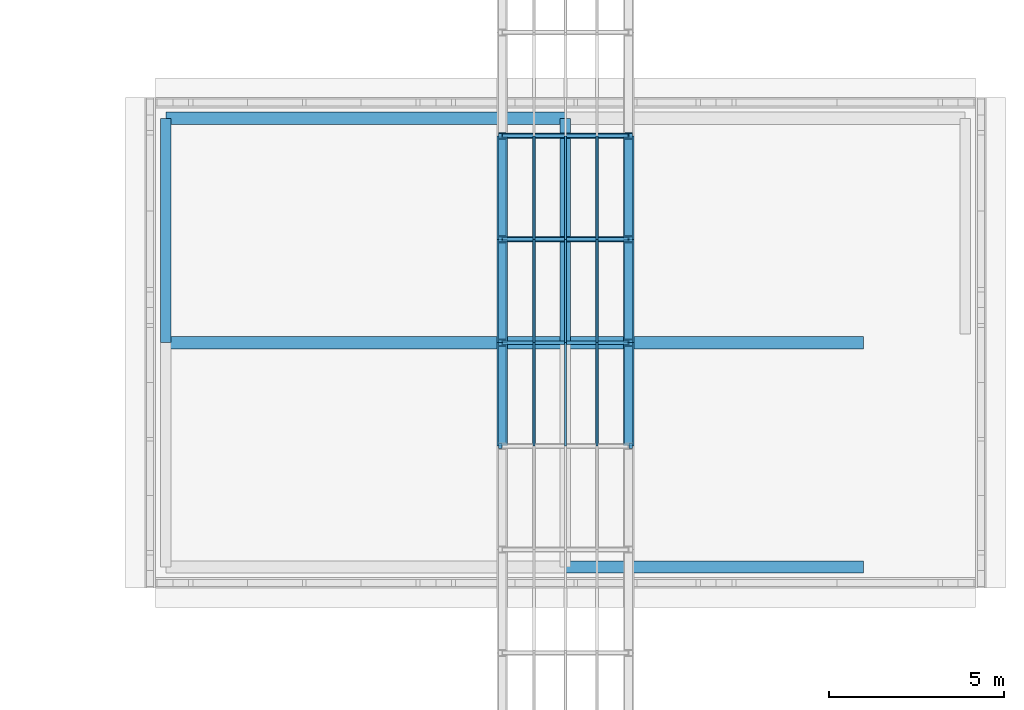
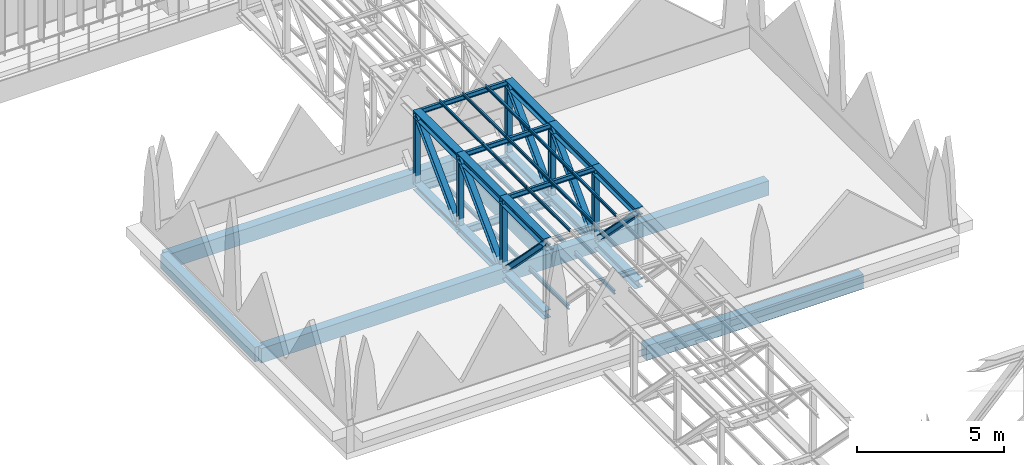
# One storey, part 65 of 141: 36 members, 14 beams.
"""IFC4 building model written with IfcOpenShell, lengths in metres."""

from ifc_helpers import new_model, si_unit, direction, frame, origin, origin_2d, place, context, subcontext, project, spatial, rectangle, i_section, extrude, material, material_profile, profile_set, type_object, element, save


model = new_model("IFC4")

# Units and contexts
model_context = context("Model", 3, precision=1e-05, world=origin(), true_north=direction((0.0, 1.0)))
body_context = subcontext(model_context, "Body", "Model", "MODEL_VIEW")
ifc_project = project(units=[si_unit("LENGTHUNIT", "METRE"), si_unit("AREAUNIT", "SQUARE_METRE"), si_unit("VOLUMEUNIT", "CUBIC_METRE"), si_unit("PLANEANGLEUNIT", "RADIAN"), si_unit("MASSUNIT", "GRAM", prefix="KILO")], contexts=[model_context])

# Site, building, storey
site_placement = place(None, origin())
site = spatial("IfcSite", under=ifc_project, at=site_placement, CompositionType="ELEMENT")
building_placement = place(site_placement, origin())
building = spatial("IfcBuilding", under=site, at=building_placement, Name="Lantern Court Media Centre", CompositionType="ELEMENT")
storey_placement = place(building_placement, frame((0.0, 0.0, 9.60009765625)))
storey = spatial("IfcBuildingStorey", under=building, at=storey_placement, Name="L02", CompositionType="ELEMENT", Elevation=9.60009765625)

# Members
ifc_material_1 = material(Name="Steel S355J2 (EN 10025-2)", Category="steel")
ifc_material_profile_1 = material_profile(ifc_material_1, i_section(OverallWidth=0.300048828125, OverallDepth=0.2900390625, WebThickness=0.008544921875, FlangeThickness=0.013916015625, FilletRadius=0.027099609375, at=origin_2d()), Name="HEA 300")
ifc_profile_set_1 = profile_set([ifc_material_profile_1], Name="Steel S355J2 (EN 10025-2)")
member_type_1 = type_object("IfcMemberType", Name="Court bridge chord HEA 300", PredefinedType="CHORD", material=ifc_profile_set_1)
for number, where, z_axis, x_axis, name in (
    (1, (50.199951171875, 82.949951171875, -0.25), (0.0, 1.0, 0.0), (-1.0, 0.0, 0.0), "Court bridge truss 1 bottom chord 8"),
    (2, (50.199951171875, 82.949951171875, 2.75), (0.0, 1.0, 0.0), (-1.0, 0.0, 0.0), "Court bridge truss 1 top chord 8"),
    (3, (53.800048828125, 82.949951171875, -0.25), (0.0, 1.0, 0.0), (-1.0, 0.0, 0.0), "Court bridge truss 2 bottom chord 8"),
    (4, (53.800048828125, 82.949951171875, 2.75), (0.0, 1.0, 0.0), (-1.0, 0.0, 0.0), "Court bridge truss 2 top chord 8"),
):
    element("IfcMember", number, at=place(storey_placement, frame(where, z_axis=z_axis, x_axis=x_axis)), inside=storey, type_object=member_type_1, Name=name, PredefinedType="CHORD", context=body_context, shape_type="SweptSolid", body=[
        extrude(i_section(OverallWidth=0.300048828125, OverallDepth=0.2900390625, WebThickness=0.008544921875, FlangeThickness=0.013916015625, FilletRadius=0.027099609375, at=origin_2d()), origin(), (0.0, 0.0, 1.0), 2.949951171875),
    ])
ifc_material_profile_2 = material_profile(ifc_material_1, i_section(OverallWidth=0.219970703125, OverallDepth=0.2099609375, WebThickness=0.007080078125, FlangeThickness=0.010986328125, FilletRadius=0.01806640625, at=origin_2d()), Name="HEA 220")
ifc_profile_set_2 = profile_set([ifc_material_profile_2], Name="Steel S355J2 (EN 10025-2)")
member_type_2 = type_object("IfcMemberType", Name="Court bridge diagonal HEA 220", PredefinedType="BRACE", material=ifc_profile_set_2)
for number, where, z_axis, x_axis, name in (
    (5, (50.199951171875, 77.050048828125, 2.75), (0.0, 0.701134051624, -0.713029481615), (-1.0, 0.0, 0.0), "Court bridge truss 1 diagonal 6"),
    (6, (50.199951171875, 80.0, -0.25), (0.0, 0.701134051624, 0.713029481615), (-1.0, 0.0, 0.0), "Court bridge truss 1 diagonal 7"),
    (7, (50.199951171875, 82.949951171875, -0.25), (0.0, 0.701134051624, 0.713029481615), (-1.0, 0.0, 0.0), "Court bridge truss 1 diagonal 8"),
    (8, (53.800048828125, 77.050048828125, 2.75), (0.0, 0.701134051624, -0.713029481615), (-1.0, 0.0, 0.0), "Court bridge truss 2 diagonal 6"),
    (9, (53.800048828125, 80.0, -0.25), (0.0, 0.701134051624, 0.713029481615), (-1.0, 0.0, 0.0), "Court bridge truss 2 diagonal 7"),
    (10, (53.800048828125, 82.949951171875, -0.25), (0.0, 0.701134051624, 0.713029481615), (-1.0, 0.0, 0.0), "Court bridge truss 2 diagonal 8"),
):
    element("IfcMember", number, at=place(storey_placement, frame(where, z_axis=z_axis, x_axis=x_axis)), inside=storey, type_object=member_type_2, Name=name, PredefinedType="BRACE", context=body_context, shape_type="SweptSolid", body=[
        extrude(i_section(OverallWidth=0.219970703125, OverallDepth=0.2099609375, WebThickness=0.007080078125, FlangeThickness=0.010986328125, FilletRadius=0.01806640625, at=origin_2d()), origin(), (0.0, 0.0, 1.0), 4.20751953125),
    ])

# Beams
ifc_material_profile_3 = material_profile(ifc_material_1, i_section(OverallWidth=0.14990234375, OverallDepth=0.300048828125, WebThickness=0.007080078125, FlangeThickness=0.0107421875, FilletRadius=0.014892578125, at=origin_2d()), Name="IPE 300")
ifc_profile_set_3 = profile_set([ifc_material_profile_3], Name="Steel S355J2 (EN 10025-2)")
beam_type_1 = type_object("IfcBeamType", Name="Court bridge floor beam IPE 300", PredefinedType="BEAM", material=ifc_profile_set_3)
for number, where, z_axis, x_axis, name in (
    (11, (50.199951171875, 82.949951171875, -0.400146484375), (1.0, 0.0, 0.0), (0.0, 1.0, 0.0), "Court bridge floor beam 8"),
    (12, (50.199951171875, 85.89990234375, -0.400146484375), (1.0, 0.0, 0.0), (0.0, 1.0, 0.0), "Court bridge floor beam 9"),
):
    element("IfcBeam", number, at=place(storey_placement, frame(where, z_axis=z_axis, x_axis=x_axis)), inside=storey, type_object=beam_type_1, Name=name, PredefinedType="BEAM", context=body_context, shape_type="SweptSolid", body=[
        extrude(i_section(OverallWidth=0.14990234375, OverallDepth=0.300048828125, WebThickness=0.007080078125, FlangeThickness=0.0107421875, FilletRadius=0.014892578125, at=origin_2d()), origin(), (0.0, 0.0, 1.0), 3.60009765625),
    ])
ifc_material_profile_4 = material_profile(ifc_material_1, i_section(OverallWidth=0.08203125, OverallDepth=0.159912109375, WebThickness=0.0048828125, FlangeThickness=0.00732421875, FilletRadius=0.009033203125, at=origin_2d()), Name="IPE 160")
ifc_profile_set_4 = profile_set([ifc_material_profile_4], Name="Steel S355J2 (EN 10025-2)")
beam_type_2 = type_object("IfcBeamType", Name="Court bridge joist IPE 160", PredefinedType="JOIST", material=ifc_profile_set_4)
for number, where, z_axis, x_axis, name in (
    (13, (51.10009765625, 77.125, -0.330078125), (0.0, 1.0, 0.0), (-1.0, 0.0, 0.0), "Court bridge joist 1-6"),
    (14, (51.10009765625, 80.179931640625, -0.330078125), (0.0, 1.0, 0.0), (-1.0, 0.0, 0.0), "Court bridge joist 1-7"),
):
    element("IfcBeam", number, at=place(storey_placement, frame(where, z_axis=z_axis, x_axis=x_axis)), inside=storey, type_object=beam_type_2, Name=name, PredefinedType="JOIST", context=body_context, shape_type="SweptSolid", body=[
        extrude(i_section(OverallWidth=0.08203125, OverallDepth=0.159912109375, WebThickness=0.0048828125, FlangeThickness=0.00732421875, FilletRadius=0.009033203125, at=origin_2d()), origin(), (0.0, 0.0, 1.0), 2.695068359375),
    ])
beam_1_placement = place(storey_placement, frame((51.10009765625, 83.02490234375, -0.330078125), z_axis=(0.0, 1.0, 0.0), x_axis=(-1.0, 0.0, 0.0)))
element("IfcBeam", 15, at=beam_1_placement, inside=storey, type_object=beam_type_2, Name="Court bridge joist 1-8", PredefinedType="JOIST", context=body_context, shape_type="SweptSolid", body=[
    extrude(i_section(OverallWidth=0.08203125, OverallDepth=0.159912109375, WebThickness=0.0048828125, FlangeThickness=0.00732421875, FilletRadius=0.009033203125, at=origin_2d()), origin(), (0.0, 0.0, 1.0), 2.800048828125),
])
for number, where, z_axis, x_axis, name in (
    (16, (52.89990234375, 77.125, -0.330078125), (0.0, 1.0, 0.0), (-1.0, 0.0, 0.0), "Court bridge joist 3-6"),
    (17, (52.89990234375, 80.179931640625, -0.330078125), (0.0, 1.0, 0.0), (-1.0, 0.0, 0.0), "Court bridge joist 3-7"),
):
    element("IfcBeam", number, at=place(storey_placement, frame(where, z_axis=z_axis, x_axis=x_axis)), inside=storey, type_object=beam_type_2, Name=name, PredefinedType="JOIST", context=body_context, shape_type="SweptSolid", body=[
        extrude(i_section(OverallWidth=0.08203125, OverallDepth=0.159912109375, WebThickness=0.0048828125, FlangeThickness=0.00732421875, FilletRadius=0.009033203125, at=origin_2d()), origin(), (0.0, 0.0, 1.0), 2.695068359375),
    ])
beam_2_placement = place(storey_placement, frame((52.89990234375, 83.02490234375, -0.330078125), z_axis=(0.0, 1.0, 0.0), x_axis=(-1.0, 0.0, 0.0)))
element("IfcBeam", 18, at=beam_2_placement, inside=storey, type_object=beam_type_2, Name="Court bridge joist 3-8", PredefinedType="JOIST", context=body_context, shape_type="SweptSolid", body=[
    extrude(i_section(OverallWidth=0.08203125, OverallDepth=0.159912109375, WebThickness=0.0048828125, FlangeThickness=0.00732421875, FilletRadius=0.009033203125, at=origin_2d()), origin(), (0.0, 0.0, 1.0), 2.800048828125),
])

# Members
ifc_material_profile_5 = material_profile(ifc_material_1, i_section(OverallWidth=0.300048828125, OverallDepth=0.330078125, WebThickness=0.009521484375, FlangeThickness=0.0166015625, FilletRadius=0.027099609375, at=origin_2d()), Name="HEA 340")
ifc_profile_set_5 = profile_set([ifc_material_profile_5], Name="Steel S355J2 (EN 10025-2)")
member_type_3 = type_object("IfcMemberType", Name="Court bridge mid-span chord HEA 340", PredefinedType="CHORD", material=ifc_profile_set_5)
for number, where, z_axis, x_axis, name in (
    (19, (50.199951171875, 77.050048828125, -0.25), (0.0, 1.0, 0.0), (-1.0, 0.0, 0.0), "Court bridge truss 1 bottom chord 6"),
    (20, (50.199951171875, 77.050048828125, 2.75), (0.0, 1.0, 0.0), (-1.0, 0.0, 0.0), "Court bridge truss 1 top chord 6"),
    (21, (50.199951171875, 80.0, -0.25), (0.0, 1.0, 0.0), (-1.0, 0.0, 0.0), "Court bridge truss 1 bottom chord 7"),
    (22, (50.199951171875, 80.0, 2.75), (0.0, 1.0, 0.0), (-1.0, 0.0, 0.0), "Court bridge truss 1 top chord 7"),
    (23, (53.800048828125, 77.050048828125, -0.25), (0.0, 1.0, 0.0), (-1.0, 0.0, 0.0), "Court bridge truss 2 bottom chord 6"),
    (24, (53.800048828125, 77.050048828125, 2.75), (0.0, 1.0, 0.0), (-1.0, 0.0, 0.0), "Court bridge truss 2 top chord 6"),
    (25, (53.800048828125, 80.0, -0.25), (0.0, 1.0, 0.0), (-1.0, 0.0, 0.0), "Court bridge truss 2 bottom chord 7"),
    (26, (53.800048828125, 80.0, 2.75), (0.0, 1.0, 0.0), (-1.0, 0.0, 0.0), "Court bridge truss 2 top chord 7"),
):
    element("IfcMember", number, at=place(storey_placement, frame(where, z_axis=z_axis, x_axis=x_axis)), inside=storey, type_object=member_type_3, Name=name, PredefinedType="CHORD", context=body_context, shape_type="SweptSolid", body=[
        extrude(i_section(OverallWidth=0.300048828125, OverallDepth=0.330078125, WebThickness=0.009521484375, FlangeThickness=0.0166015625, FilletRadius=0.027099609375, at=origin_2d()), origin(), (0.0, 0.0, 1.0), 2.949951171875),
    ])
ifc_material_profile_6 = material_profile(ifc_material_1, i_section(OverallWidth=0.06396484375, OverallDepth=0.1201171875, WebThickness=0.00439453125, FlangeThickness=0.00634765625, FilletRadius=0.007080078125, at=origin_2d()), Name="IPE 120")
ifc_profile_set_6 = profile_set([ifc_material_profile_6], Name="Steel S355J2 (EN 10025-2)")
member_type_4 = type_object("IfcMemberType", Name="Court bridge purlin IPE 120", PredefinedType="PURLIN", material=ifc_profile_set_6)
for number, where, z_axis, x_axis, name in (
    (27, (51.10009765625, 77.050048828125, 2.909912109375), (0.0, 1.0, 0.0), (-1.0, 0.0, 0.0), "Court bridge purlin 1-6"),
    (28, (51.10009765625, 80.0, 2.909912109375), (0.0, 1.0, 0.0), (-1.0, 0.0, 0.0), "Court bridge purlin 1-7"),
    (29, (51.10009765625, 82.949951171875, 2.909912109375), (0.0, 1.0, 0.0), (-1.0, 0.0, 0.0), "Court bridge purlin 1-8"),
    (30, (52.0, 77.050048828125, 2.909912109375), (0.0, 1.0, 0.0), (-1.0, 0.0, 0.0), "Court bridge purlin 2-6"),
    (31, (52.0, 80.0, 2.909912109375), (0.0, 1.0, 0.0), (-1.0, 0.0, 0.0), "Court bridge purlin 2-7"),
    (32, (52.0, 82.949951171875, 2.909912109375), (0.0, 1.0, 0.0), (-1.0, 0.0, 0.0), "Court bridge purlin 2-8"),
    (33, (52.89990234375, 77.050048828125, 2.909912109375), (0.0, 1.0, 0.0), (-1.0, 0.0, 0.0), "Court bridge purlin 3-6"),
    (34, (52.89990234375, 80.0, 2.909912109375), (0.0, 1.0, 0.0), (-1.0, 0.0, 0.0), "Court bridge purlin 3-7"),
    (35, (52.89990234375, 82.949951171875, 2.909912109375), (0.0, 1.0, 0.0), (-1.0, 0.0, 0.0), "Court bridge purlin 3-8"),
):
    element("IfcMember", number, at=place(storey_placement, frame(where, z_axis=z_axis, x_axis=x_axis)), inside=storey, type_object=member_type_4, Name=name, PredefinedType="PURLIN", context=body_context, shape_type="SweptSolid", body=[
        extrude(i_section(OverallWidth=0.06396484375, OverallDepth=0.1201171875, WebThickness=0.00439453125, FlangeThickness=0.00634765625, FilletRadius=0.007080078125, at=origin_2d()), origin(), (0.0, 0.0, 1.0), 2.949951171875),
    ])
ifc_material_profile_7 = material_profile(ifc_material_1, i_section(OverallWidth=0.10009765625, OverallDepth=0.199951171875, WebThickness=0.005615234375, FlangeThickness=0.008544921875, FilletRadius=0.011962890625, at=origin_2d()), Name="IPE 200")
ifc_profile_set_7 = profile_set([ifc_material_profile_7], Name="Steel S355J2 (EN 10025-2)")
member_type_5 = type_object("IfcMemberType", Name="Court bridge roof strut IPE 200", PredefinedType="STRUT", material=ifc_profile_set_7)
for number, where, z_axis, x_axis, name in (
    (36, (50.199951171875, 80.0, 2.75), (1.0, 0.0, 0.0), (0.0, 1.0, 0.0), "Court bridge roof strut 7"),
    (37, (50.199951171875, 82.949951171875, 2.75), (1.0, 0.0, 0.0), (0.0, 1.0, 0.0), "Court bridge roof strut 8"),
    (38, (50.199951171875, 85.89990234375, 2.75), (1.0, 0.0, 0.0), (0.0, 1.0, 0.0), "Court bridge roof strut 9"),
):
    element("IfcMember", number, at=place(storey_placement, frame(where, z_axis=z_axis, x_axis=x_axis)), inside=storey, type_object=member_type_5, Name=name, PredefinedType="STRUT", context=body_context, shape_type="SweptSolid", body=[
        extrude(i_section(OverallWidth=0.10009765625, OverallDepth=0.199951171875, WebThickness=0.005615234375, FlangeThickness=0.008544921875, FilletRadius=0.011962890625, at=origin_2d()), origin(), (0.0, 0.0, 1.0), 3.60009765625),
    ])
ifc_material_profile_8 = material_profile(ifc_material_1, i_section(OverallWidth=0.199951171875, OverallDepth=0.18994140625, WebThickness=0.006591796875, FlangeThickness=0.010009765625, FilletRadius=0.01806640625, at=origin_2d()), Name="HEA 200")
ifc_profile_set_8 = profile_set([ifc_material_profile_8], Name="Steel S355J2 (EN 10025-2)")
member_type_6 = type_object("IfcMemberType", Name="Court bridge vertical HEA 200", PredefinedType="POST", material=ifc_profile_set_8)
for number, where, z_axis, x_axis, name in (
    (39, (50.199951171875, 80.0, -0.25), (0.0, 0.0, 1.0), (1.0, 0.0, 0.0), "Court bridge truss 1 vertical 7"),
    (40, (50.199951171875, 82.949951171875, -0.25), (0.0, 0.0, 1.0), (1.0, 0.0, 0.0), "Court bridge truss 1 vertical 8"),
    (41, (50.199951171875, 85.89990234375, -0.25), (0.0, 0.0, 1.0), (1.0, 0.0, 0.0), "Court bridge truss 1 vertical 9"),
    (42, (53.800048828125, 80.0, -0.25), (0.0, 0.0, 1.0), (1.0, 0.0, 0.0), "Court bridge truss 2 vertical 7"),
    (43, (53.800048828125, 82.949951171875, -0.25), (0.0, 0.0, 1.0), (1.0, 0.0, 0.0), "Court bridge truss 2 vertical 8"),
    (44, (53.800048828125, 85.89990234375, -0.25), (0.0, 0.0, 1.0), (1.0, 0.0, 0.0), "Court bridge truss 2 vertical 9"),
):
    element("IfcMember", number, at=place(storey_placement, frame(where, z_axis=z_axis, x_axis=x_axis)), inside=storey, type_object=member_type_6, Name=name, PredefinedType="POST", context=body_context, shape_type="SweptSolid", body=[
        extrude(i_section(OverallWidth=0.199951171875, OverallDepth=0.18994140625, WebThickness=0.006591796875, FlangeThickness=0.010009765625, FilletRadius=0.01806640625, at=origin_2d()), origin(), (0.0, 0.0, 1.0), 3.0),
    ])

# Beams
ifc_material_2 = material(Name="Concrete C35", Category="concrete")
ifc_material_profile_9 = material_profile(ifc_material_2, rectangle(XDim=0.300048828125, YDim=0.60009765625, at=origin_2d()), Name="RC 300x600")
ifc_profile_set_9 = profile_set([ifc_material_profile_9], Name="Concrete C35")
beam_type_3 = type_object("IfcBeamType", Name="RC BEAM 300x600", PredefinedType="BEAM", material=ifc_profile_set_9)
for number, where, z_axis, x_axis, name in (
    (45, (40.60009765625, 80.0, -0.300048828125), (0.0, 1.0, 0.0), (-1.0, 0.0, 0.0), "PB-PRESS-L02-Y0-1"),
    (46, (52.0, 80.0, -0.300048828125), (0.0, 1.0, 0.0), (-1.0, 0.0, 0.0), "PB-PRESS-L02-Y1-1"),
):
    element("IfcBeam", number, at=place(storey_placement, frame(where, z_axis=z_axis, x_axis=x_axis)), inside=storey, type_object=beam_type_3, Name=name, PredefinedType="BEAM", context=body_context, shape_type="SweptSolid", body=[
        extrude(rectangle(XDim=0.300048828125, YDim=0.60009765625, at=origin_2d()), origin(), (0.0, 0.0, 1.0), 6.39990234375),
    ])
ifc_material_profile_10 = material_profile(ifc_material_2, rectangle(XDim=0.35009765625, YDim=0.60009765625, at=origin_2d()), Name="RC 350x600")
ifc_profile_set_10 = profile_set([ifc_material_profile_10], Name="Concrete C35")
beam_type_4 = type_object("IfcBeamType", Name="RC BEAM 350x600", PredefinedType="BEAM", material=ifc_profile_set_10)
beam_3_placement = place(storey_placement, frame((52.0, 73.60009765625, -0.300048828125), z_axis=(1.0, 0.0, 0.0), x_axis=(0.0, 1.0, 0.0)))
element("IfcBeam", 47, at=beam_3_placement, inside=storey, type_object=beam_type_4, Name="PB-PRESS-L02-X0-1", PredefinedType="BEAM", context=body_context, shape_type="SweptSolid", body=[
    extrude(rectangle(XDim=0.35009765625, YDim=0.60009765625, at=origin_2d()), origin(), (0.0, 0.0, 1.0), 8.5),
])
beam_4_placement = place(storey_placement, frame((40.60009765625, 80.0, -0.300048828125), z_axis=(1.0, 0.0, 0.0), x_axis=(0.0, 1.0, 0.0)))
element("IfcBeam", 48, at=beam_4_placement, inside=storey, type_object=beam_type_4, Name="PB-PRESS-L02-X1-0", PredefinedType="BEAM", context=body_context, shape_type="SweptSolid", body=[
    extrude(rectangle(XDim=0.35009765625, YDim=0.60009765625, at=origin_2d()), origin(), (0.0, 0.0, 1.0), 11.39990234375),
])
beam_5_placement = place(storey_placement, frame((52.0, 80.0, -0.300048828125), z_axis=(1.0, 0.0, 0.0), x_axis=(0.0, 1.0, 0.0)))
element("IfcBeam", 49, at=beam_5_placement, inside=storey, type_object=beam_type_4, Name="PB-PRESS-L02-X1-1", PredefinedType="BEAM", context=body_context, shape_type="SweptSolid", body=[
    extrude(rectangle(XDim=0.35009765625, YDim=0.60009765625, at=origin_2d()), origin(), (0.0, 0.0, 1.0), 8.5),
])
beam_6_placement = place(storey_placement, frame((40.60009765625, 86.39990234375, -0.300048828125), z_axis=(1.0, 0.0, 0.0), x_axis=(0.0, 1.0, 0.0)))
element("IfcBeam", 50, at=beam_6_placement, inside=storey, type_object=beam_type_4, Name="PB-PRESS-L02-X2-0", PredefinedType="BEAM", context=body_context, shape_type="SweptSolid", body=[
    extrude(rectangle(XDim=0.35009765625, YDim=0.60009765625, at=origin_2d()), origin(), (0.0, 0.0, 1.0), 11.39990234375),
])

save(model, "model.ifc")
